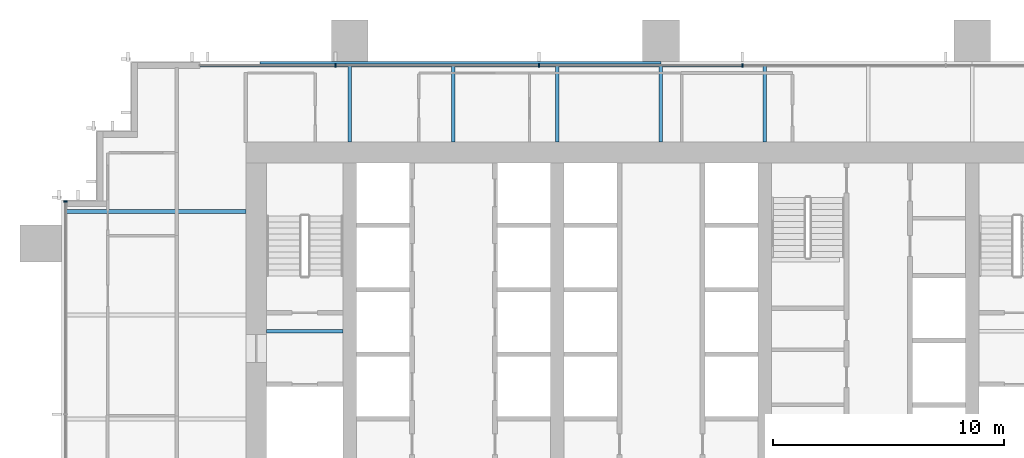
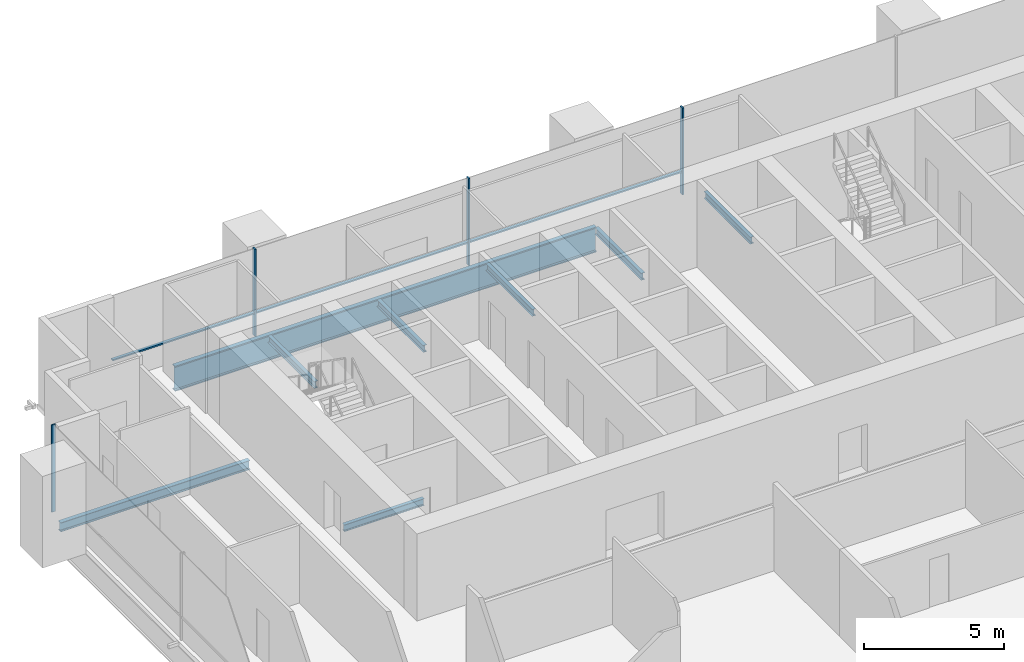
# One storey, part 8 of 17: 8 beams, 7 members, 2 elements without a shape of their own.
"""IFC4 building model written with IfcOpenShell, lengths in metres."""

from ifc_helpers import new_model, si_unit, direction, frame, origin, origin_2d, place, context, subcontext, project, spatial, rectangle, i_section, extrude, material, material_profile, profile_set, type_object, element, aggregate, save


model = new_model("IFC4")

# Units and contexts
model_context = context("Model", 3, precision=1e-05, world=origin(), true_north=direction((0.0, 1.0)))
body_context = subcontext(model_context, "Body", "Model", "MODEL_VIEW")
ifc_project = project(units=[si_unit("LENGTHUNIT", "METRE"), si_unit("AREAUNIT", "SQUARE_METRE"), si_unit("VOLUMEUNIT", "CUBIC_METRE"), si_unit("PLANEANGLEUNIT", "RADIAN"), si_unit("MASSUNIT", "GRAM", prefix="KILO")], contexts=[model_context])

# Site, building, storey
site_placement = place(None, origin())
site = spatial("IfcSite", under=ifc_project, at=site_placement, CompositionType="ELEMENT")
building_placement = place(site_placement, origin())
building = spatial("IfcBuilding", under=site, at=building_placement, Name="Rattan Terrace Tower", CompositionType="ELEMENT")
storey_placement = place(building_placement, frame((0.0, 0.0, 107.699951171875)))
storey = spatial("IfcBuildingStorey", under=building, at=storey_placement, Name="L24", CompositionType="ELEMENT", Elevation=107.699951171875)

# Curtain wall, members
ifc_material_1 = material(Name="Aluminium and glass", Category="aluminium")
curtain_wall_type = type_object("IfcCurtainWallType", Name="Facade Unitised Curtain Wall", PredefinedType="NOTDEFINED", material=ifc_material_1)
curtain_wall_1_placement = place(storey_placement, origin())
curtain_wall_1 = element("IfcCurtainWall", 1, at=curtain_wall_1_placement, inside=storey, type_object=curtain_wall_type, Name="Curtain wall L24-2", PredefinedType="NOTDEFINED")
ifc_material_2 = material(Name="Aluminium", Category="aluminium")
ifc_material_profile_1 = material_profile(ifc_material_2, rectangle(XDim=0.06005859375, YDim=0.159912109375, at=origin_2d()), Name="Aluminium 60x160")
ifc_profile_set_1 = profile_set([ifc_material_profile_1], Name="Aluminium")
member_type_1 = type_object("IfcMemberType", Name="Facade CW Mullion 60x160", PredefinedType="MULLION", material=ifc_profile_set_1)
member_1_placement = place(storey_placement, frame((3.531005859375, 10.830078125, 0.0), z_axis=(0.0, 0.0, 1.0), x_axis=(-1.0, 0.0, 0.0)))
member_1 = element("IfcMember", 2, at=member_1_placement, type_object=member_type_1, Name="Mullion cwl-L24-002.4", PredefinedType="MULLION", context=body_context, shape_type="SweptSolid", body=[
    extrude(rectangle(XDim=0.06005859375, YDim=0.159912109375, at=origin_2d()), origin(), (0.0, 0.0, 1.0), 3.800048828125),
])
member_2_placement = place(storey_placement, frame((-5.2919921875, 10.830078125, 0.0), z_axis=(0.0, 0.0, 1.0), x_axis=(-1.0, 0.0, 0.0)))
member_2 = element("IfcMember", 3, at=member_2_placement, type_object=member_type_1, Name="Mullion cwl-L24-002.5", PredefinedType="MULLION", context=body_context, shape_type="SweptSolid", body=[
    extrude(rectangle(XDim=0.06005859375, YDim=0.159912109375, at=origin_2d()), origin(), (0.0, 0.0, 1.0), 3.800048828125),
])
member_3_placement = place(storey_placement, frame((-14.114990234375, 10.830078125, 0.0), z_axis=(0.0, 0.0, 1.0), x_axis=(-1.0, 0.0, 0.0)))
member_3 = element("IfcMember", 4, at=member_3_placement, type_object=member_type_1, Name="Mullion cwl-L24-002.6", PredefinedType="MULLION", context=body_context, shape_type="SweptSolid", body=[
    extrude(rectangle(XDim=0.06005859375, YDim=0.159912109375, at=origin_2d()), origin(), (0.0, 0.0, 1.0), 3.800048828125),
])

# Curtain wall, member
curtain_wall_2_placement = place(storey_placement, origin())
curtain_wall_2 = element("IfcCurtainWall", 5, at=curtain_wall_2_placement, inside=storey, type_object=curtain_wall_type, Name="Curtain wall L24-3", PredefinedType="NOTDEFINED")
member_4_placement = place(storey_placement, frame((-25.830078125, 4.925048828125, 0.0), z_axis=(0.0, 0.0, 1.0), x_axis=(0.0, -1.0, 0.0)))
member_4 = element("IfcMember", 6, at=member_4_placement, type_object=member_type_1, Name="Mullion cwl-L24-003.1", PredefinedType="MULLION", context=body_context, shape_type="SweptSolid", body=[
    extrude(rectangle(XDim=0.06005859375, YDim=0.159912109375, at=origin_2d()), origin(), (0.0, 0.0, 1.0), 3.800048828125),
])
aggregate(curtain_wall_2, [member_4])

# Member
ifc_material_3 = material(Name="Aluminium", Category="aluminium")
ifc_material_profile_2 = material_profile(ifc_material_3, rectangle(XDim=0.1201171875, YDim=0.06005859375, at=origin_2d()), Name="Aluminium 120x60")
ifc_profile_set_2 = profile_set([ifc_material_profile_2], Name="Aluminium")
member_type_2 = type_object("IfcMemberType", Name="Facade CW Transom 120x60", PredefinedType="USERDEFINED", material=ifc_profile_set_2)
member_5_placement = place(storey_placement, frame((3.5009765625, 10.830078125, 1.0), z_axis=(-1.0, 0.0, 0.0), x_axis=(0.0, -1.0, 0.0)))
member_5 = element("IfcMember", 7, at=member_5_placement, type_object=member_type_2, Name="Transom cwl-L24-002.4", ObjectType="TRANSOM", PredefinedType="USERDEFINED", context=body_context, shape_type="SweptSolid", body=[
    extrude(rectangle(XDim=0.1201171875, YDim=0.06005859375, at=origin_2d()), origin(), (0.0, 0.0, 1.0), 8.762939453125),
])

member_6_placement = place(storey_placement, frame((-5.322021484375, 10.830078125, 1.0), z_axis=(-1.0, 0.0, 0.0), x_axis=(0.0, -1.0, 0.0)))
member_6 = element("IfcMember", 8, at=member_6_placement, type_object=member_type_2, Name="Transom cwl-L24-002.5", ObjectType="TRANSOM", PredefinedType="USERDEFINED", context=body_context, shape_type="SweptSolid", body=[
    extrude(rectangle(XDim=0.1201171875, YDim=0.06005859375, at=origin_2d()), origin(), (0.0, 0.0, 1.0), 8.762939453125),
])

member_7_placement = place(storey_placement, frame((-14.14501953125, 10.830078125, 1.0), z_axis=(-1.0, 0.0, 0.0), x_axis=(0.0, -1.0, 0.0)))
member_7 = element("IfcMember", 9, at=member_7_placement, type_object=member_type_2, Name="Transom cwl-L24-002.6", ObjectType="TRANSOM", PredefinedType="USERDEFINED", context=body_context, shape_type="SweptSolid", body=[
    extrude(rectangle(XDim=0.1201171875, YDim=0.06005859375, at=origin_2d()), origin(), (0.0, 0.0, 1.0), 5.85498046875),
])

aggregate(curtain_wall_1, [member_1, member_2, member_3, member_5, member_6, member_7])

# Beams
ifc_material_4 = material(Name="Steel S460", Category="steel")
ifc_material_profile_3 = material_profile(ifc_material_4, i_section(OverallWidth=0.179931640625, OverallDepth=1.10009765625, WebThickness=0.01611328125, FlangeThickness=0.050048828125, at=origin_2d()), Name="PG 1100x180-16-50")
ifc_profile_set_3 = profile_set([ifc_material_profile_3], Name="Steel S460")
beam_type_1 = type_object("IfcBeamType", Name="Frame edge girder PG 1100x180-16-50", PredefinedType="SPANDREL", material=ifc_profile_set_3)
beam_1_placement = place(storey_placement, frame((-17.39990234375, 10.909912109375, -0.75), z_axis=(1.0, 0.0, 0.0), x_axis=(0.0, 1.0, 0.0)))
element("IfcBeam", 10, at=beam_1_placement, inside=storey, type_object=beam_type_1, Name="gdr-L24-006", PredefinedType="SPANDREL", context=body_context, shape_type="SweptSolid", body=[
    extrude(i_section(OverallWidth=0.179931640625, OverallDepth=1.10009765625, WebThickness=0.01611328125, FlangeThickness=0.050048828125, at=origin_2d()), origin(), (0.0, 0.0, 1.0), 17.39990234375),
])
ifc_material_5 = material(Name="Steel S355", Category="steel")
ifc_material_profile_4 = material_profile(ifc_material_5, i_section(OverallWidth=0.14990234375, OverallDepth=0.300048828125, WebThickness=0.007080078125, FlangeThickness=0.0107421875, FilletRadius=0.014892578125, at=origin_2d()), Name="IPE 300")
ifc_profile_set_4 = profile_set([ifc_material_profile_4], Name="Steel S355")
beam_type_2 = type_object("IfcBeamType", Name="Frame floor beam IPE 300", PredefinedType="JOIST", material=ifc_profile_set_4)
beam_2_placement = place(storey_placement, frame((-17.10009765625, -0.695068359375, -0.349853515625), z_axis=(1.0, 0.0, 0.0), x_axis=(0.0, 1.0, 0.0)))
element("IfcBeam", 11, at=beam_2_placement, inside=storey, type_object=beam_type_2, Name="bm-L24-001", PredefinedType="JOIST", context=body_context, shape_type="SweptSolid", body=[
    extrude(i_section(OverallWidth=0.14990234375, OverallDepth=0.300048828125, WebThickness=0.007080078125, FlangeThickness=0.0107421875, FilletRadius=0.014892578125, at=origin_2d()), origin(), (0.0, 0.0, 1.0), 3.300048828125),
])
for number, where, z_axis, x_axis, name in (
    (12, (-13.5, 7.5, -0.349853515625), (0.0, 1.0, 0.0), (-1.0, 0.0, 0.0), "bm-L24-018"),
    (13, (-9.0, 7.5, -0.349853515625), (0.0, 1.0, 0.0), (-1.0, 0.0, 0.0), "bm-L24-019"),
    (14, (-4.5, 7.5, -0.349853515625), (0.0, 1.0, 0.0), (-1.0, 0.0, 0.0), "bm-L24-020"),
    (15, (0.0, 7.5, -0.349853515625), (0.0, 1.0, 0.0), (-1.0, 0.0, 0.0), "bm-L24-021"),
    (16, (4.5, 7.5, -0.349853515625), (0.0, 1.0, 0.0), (-1.0, 0.0, 0.0), "bm-L24-022"),
):
    element("IfcBeam", number, at=place(storey_placement, frame(where, z_axis=z_axis, x_axis=x_axis)), inside=storey, type_object=beam_type_2, Name=name, PredefinedType="JOIST", context=body_context, shape_type="SweptSolid", body=[
        extrude(i_section(OverallWidth=0.14990234375, OverallDepth=0.300048828125, WebThickness=0.007080078125, FlangeThickness=0.0107421875, FilletRadius=0.014892578125, at=origin_2d()), origin(), (0.0, 0.0, 1.0), 3.320068359375),
    ])
ifc_material_6 = material(Name="Steel S355", Category="steel")
ifc_material_profile_5 = material_profile(ifc_material_6, i_section(OverallWidth=0.179931640625, OverallDepth=0.39990234375, WebThickness=0.008544921875, FlangeThickness=0.013427734375, FilletRadius=0.02099609375, at=origin_2d()), Name="IPE 400")
ifc_profile_set_5 = profile_set([ifc_material_profile_5], Name="Steel S355")
beam_type_3 = type_object("IfcBeamType", Name="Frame floor beam IPE 400", PredefinedType="JOIST", material=ifc_profile_set_5)
beam_3_placement = place(storey_placement, frame((-25.820068359375, 4.5, -0.39990234375), z_axis=(1.0, 0.0, 0.0), x_axis=(0.0, 1.0, 0.0)))
element("IfcBeam", 17, at=beam_3_placement, inside=storey, type_object=beam_type_3, Name="bm-L24-016", PredefinedType="JOIST", context=body_context, shape_type="SweptSolid", body=[
    extrude(i_section(OverallWidth=0.179931640625, OverallDepth=0.39990234375, WebThickness=0.008544921875, FlangeThickness=0.013427734375, FilletRadius=0.02099609375, at=origin_2d()), origin(), (0.0, 0.0, 1.0), 7.820068359375),
])

save(model, "model.ifc")
